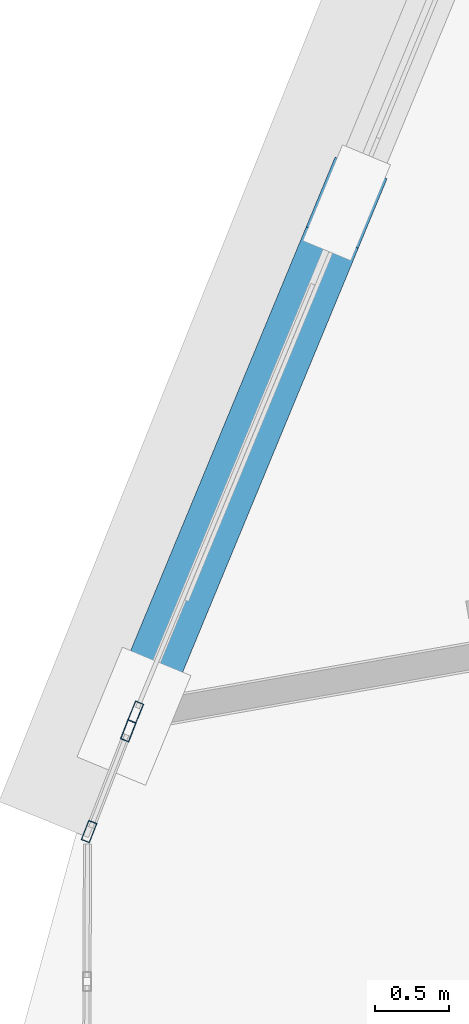
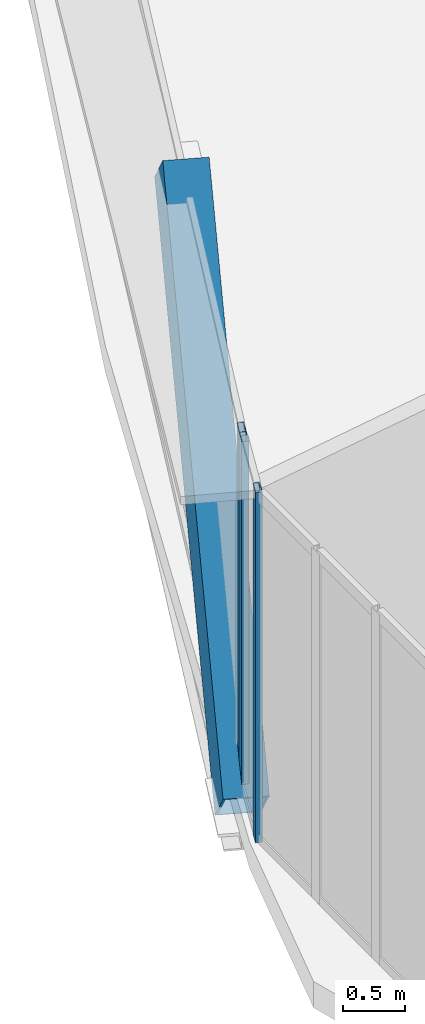
# One storey, part 4 of 40: 4 members, 2 elements without a shape of their own.
"""IFC4 building model written with IfcOpenShell, lengths in metres."""

from ifc_helpers import new_model, si_unit, direction, frame, origin, origin_2d, place, context, subcontext, project, spatial, hollow_rectangle, extrude, source, transform, mapped, material, layer, layer_set, material_profile, profile_set, type_object, element, aggregate, save


model = new_model("IFC4")

# Units and contexts
model_context = context("Model", 3, precision=1e-05, world=origin(), true_north=direction((0.0, 1.0)))
body_context = subcontext(model_context, "Body", "Model", "MODEL_VIEW")
ifc_project = project(units=[si_unit("LENGTHUNIT", "METRE"), si_unit("AREAUNIT", "SQUARE_METRE"), si_unit("VOLUMEUNIT", "CUBIC_METRE"), si_unit("PLANEANGLEUNIT", "RADIAN"), si_unit("MASSUNIT", "GRAM", prefix="KILO"), si_unit("THERMODYNAMICTEMPERATUREUNIT", "KELVIN"), si_unit("POWERUNIT", "WATT")], contexts=[model_context])

# Site, building, storey
site_placement = place(None, origin())
site = spatial("IfcSite", under=ifc_project, at=site_placement, CompositionType="ELEMENT")
building_placement = place(site_placement, origin())
building = spatial("IfcBuilding", under=site, at=building_placement, Name="Yunzhuo Pagoda Commons", CompositionType="ELEMENT")
storey_placement = place(building_placement, frame((0.0, 0.0, 288.75)))
storey = spatial("IfcBuildingStorey", under=building, at=storey_placement, Name="L72", CompositionType="ELEMENT", Elevation=288.75)

# Member
ifc_material_1 = material(Name="Structural steel Q355B", Category="steel")
ifc_material_profile_1 = material_profile(ifc_material_1, hollow_rectangle(XDim=0.3798828125, YDim=0.719970703125, WallThickness=0.02001953125, at=origin_2d()), Name="Structural steel Q355B")
ifc_profile_set_1 = profile_set([ifc_material_profile_1], Name="Structural steel Q355B")
member_type_1 = type_object("IfcMemberType", Name="M-DL3 Brace BOX 720x380x20", PredefinedType="BRACE", material=ifc_profile_set_1)
shared_shape_1 = source(origin(), body_context, "Body", "SweptSolid", [
    extrude(hollow_rectangle(XDim=0.3798828125, YDim=0.719970703125, WallThickness=0.02001953125, at=origin_2d()), origin(), (0.0, 0.0, 1.0), 5.2861328125),
])
member_1_placement = place(storey_placement, frame((16.668212890625, 28.17529296875, -0.260009765625), z_axis=(0.271107837115, 0.654676932046, 0.705619341644), x_axis=(-0.923913570952, 0.38260124596, 0.0)))
element("IfcMember", 1, at=member_1_placement, inside=storey, type_object=member_type_1, Name="L72 facade diamond brace F3.3R", PredefinedType="BRACE", context=body_context, shape_type="MappedRepresentation", body=[
    mapped(shared_shape_1, transform((0.0, 0.0, 0.0), scale=1.0)),
])

# Curtain wall, member
ifc_material_2 = material(Name="Anodized aluminium 6063-T6", Category="aluminium")
ifc_layer = layer(ifc_material_2, 0.139892578125)
ifc_layer_set = layer_set([ifc_layer], Name="Anodized aluminium 6063-T6")
curtain_wall_type = type_object("IfcCurtainWallType", Name="CW-HI High-Zone Ribbon Curtain Wall", PredefinedType="NOTDEFINED", material=ifc_layer_set)
curtain_wall_1_placement = place(storey_placement, origin())
curtain_wall_1 = element("IfcCurtainWall", 2, at=curtain_wall_1_placement, inside=storey, type_object=curtain_wall_type, Name="L72 curtain wall CW-L72-F3B4", PredefinedType="NOTDEFINED")
ifc_material_profile_2 = material_profile(ifc_material_2, hollow_rectangle(XDim=0.06005859375, YDim=0.139892578125, WallThickness=0.00341796875, at=origin_2d()), Name="Anodized aluminium 6063-T6")
ifc_profile_set_2 = profile_set([ifc_material_profile_2], Name="Anodized aluminium 6063-T6")
member_type_2 = type_object("IfcMemberType", Name="CW-HI-M Mullion RHS 140x60x3.5", PredefinedType="MULLION", material=ifc_profile_set_2)
shared_shape_2 = source(origin(), body_context, "Body", "SweptSolid", [
    extrude(hollow_rectangle(XDim=0.06005859375, YDim=0.139892578125, WallThickness=0.00341796875, at=origin_2d()), origin(), (0.0, 0.0, 1.0), 3.469970703125),
])
member_2_placement = place(storey_placement, frame((16.679931640625, 28.203125, 0.0), z_axis=(0.0, 0.0, 1.0), x_axis=(0.923899046183, -0.382636318796, 0.0)))
member_2 = element("IfcMember", 3, at=member_2_placement, type_object=member_type_2, Name="CW mullion 2", PredefinedType="MULLION", context=body_context, shape_type="MappedRepresentation", body=[
    mapped(shared_shape_2, transform((0.0, 0.0, 0.0), scale=1.0)),
])
aggregate(curtain_wall_1, [member_2])

# Curtain wall, members
curtain_wall_2_placement = place(storey_placement, origin())
curtain_wall_2 = element("IfcCurtainWall", 4, at=curtain_wall_2_placement, inside=storey, type_object=curtain_wall_type, Name="L72 curtain wall CW-L72-F3B5", PredefinedType="NOTDEFINED")
member_3_placement = place(storey_placement, frame((16.630126953125, 28.07763671875, 0.0), z_axis=(0.0, 0.0, 1.0), x_axis=(0.931923767987, -0.36265423017, 0.0)))
member_3 = element("IfcMember", 5, at=member_3_placement, type_object=member_type_2, Name="CW mullion 1", PredefinedType="MULLION", context=body_context, shape_type="MappedRepresentation", body=[
    mapped(shared_shape_2, transform((0.0, 0.0, 0.0), scale=1.0)),
])
member_4_placement = place(storey_placement, frame((16.36572265625, 27.398193359375, 0.0), z_axis=(0.0, 0.0, 1.0), x_axis=(0.931923767987, -0.36265423017, 0.0)))
member_4 = element("IfcMember", 6, at=member_4_placement, type_object=member_type_2, Name="CW mullion 2", PredefinedType="MULLION", context=body_context, shape_type="MappedRepresentation", body=[
    mapped(shared_shape_2, transform((0.0, 0.0, 0.0), scale=1.0)),
])
aggregate(curtain_wall_2, [member_3, member_4])

save(model, "model.ifc")
